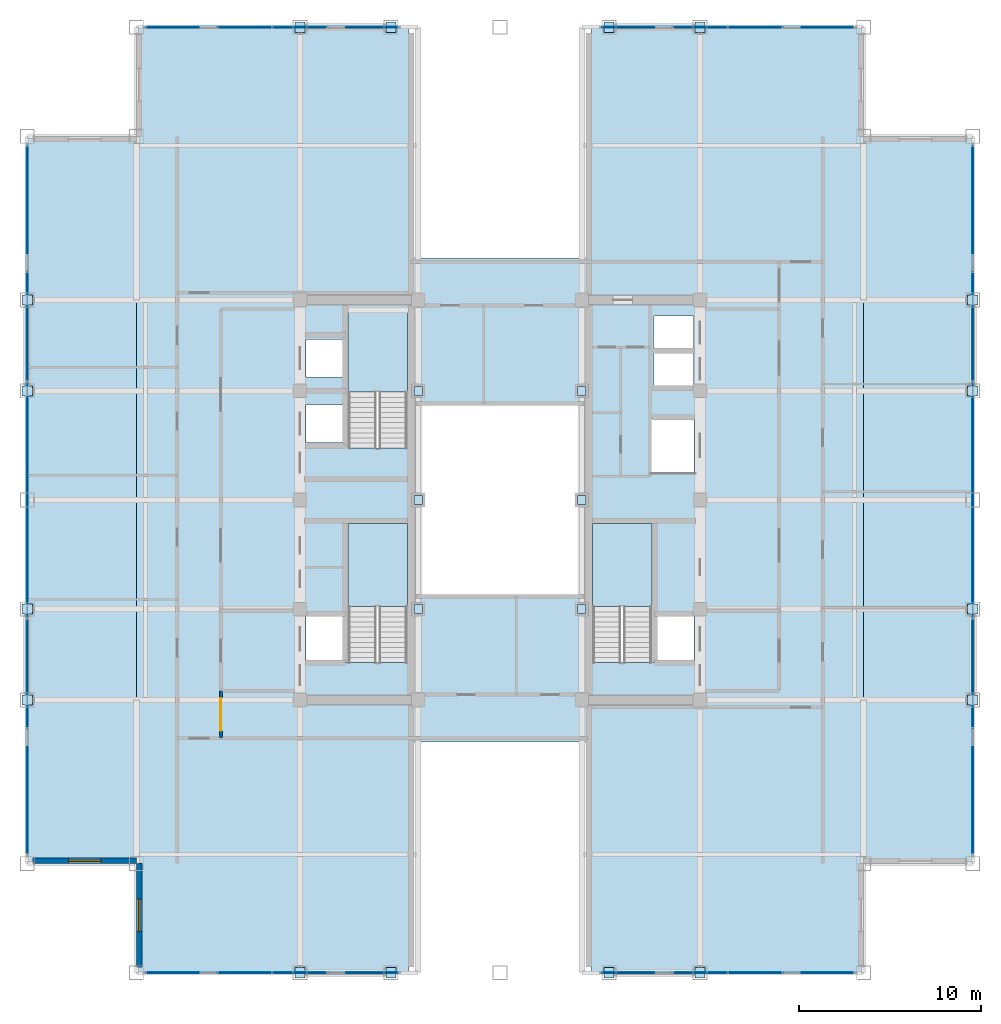
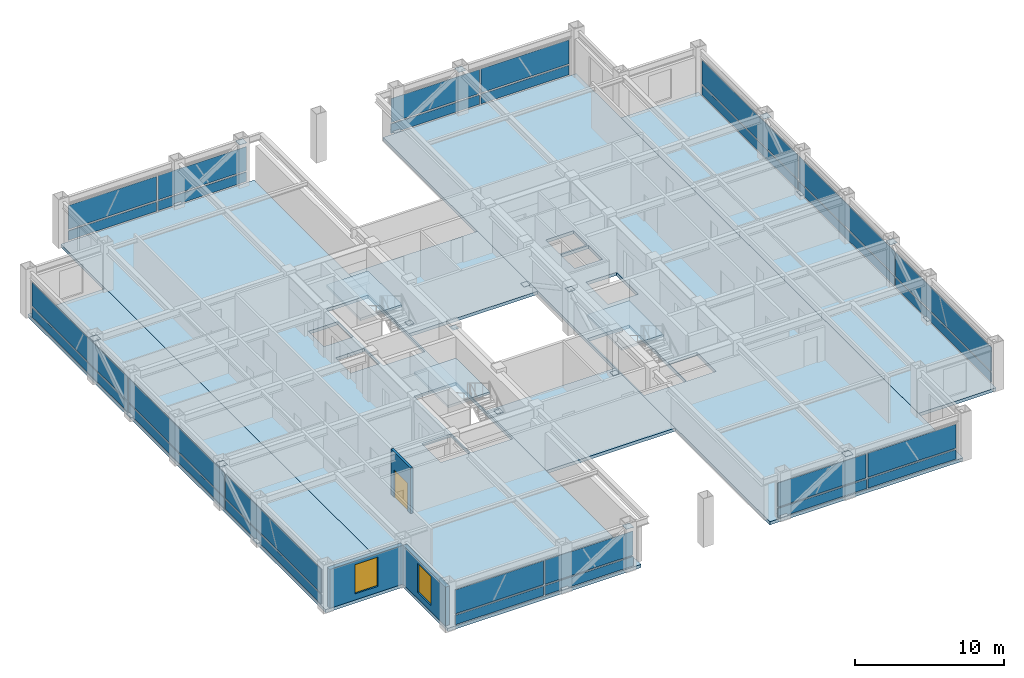
# One storey, part 24 of 29: 50 plates, 9 slabs, 3 walls, 2 windows, 1 door, 3 openings, 9 elements without a shape of their own.
"""IFC4 building model written with IfcOpenShell, lengths in metres."""

from ifc_helpers import new_model, si_unit, direction, frame, frame_2d, origin, origin_2d, place, context, subcontext, project, spatial, polyline, rectangle, outline, extrude, source, transform, mapped, material, layer, layer_set, type_object, element, fill, aggregate, save


model = new_model("IFC4")

# Units and contexts
model_context = context("Model", 3, precision=1e-05, world=origin(), true_north=direction((0.0, 1.0)))
body_context = subcontext(model_context, "Body", "Model", "MODEL_VIEW")
ifc_project = project(units=[si_unit("LENGTHUNIT", "METRE"), si_unit("AREAUNIT", "SQUARE_METRE"), si_unit("VOLUMEUNIT", "CUBIC_METRE"), si_unit("PLANEANGLEUNIT", "RADIAN"), si_unit("MASSUNIT", "GRAM", prefix="KILO")], contexts=[model_context])

# Site, building, storey
site_placement = place(None, origin())
site = spatial("IfcSite", under=ifc_project, at=site_placement, CompositionType="ELEMENT")
building_placement = place(site_placement, origin())
building = spatial("IfcBuilding", under=site, at=building_placement, Name="Khorayat Bourse Tower", CompositionType="ELEMENT")
storey_placement = place(building_placement, frame((0.0, 0.0, 350.300048828125)))
storey = spatial("IfcBuildingStorey", under=building, at=storey_placement, Name="L83", CompositionType="ELEMENT", Elevation=350.300048828125)

# Stair, slab
ifc_material_1 = material(Name="Concrete C40/50", Category="concrete")
stair_type = type_object("IfcStairType", Name="STR-CORE-1550", PredefinedType="HALF_TURN_STAIR", material=ifc_material_1)
stair_1_placement = place(storey_placement, origin())
stair_1 = element("IfcStair", 1, at=stair_1_placement, inside=storey, type_object=stair_type, Name="L83 Exit Stair ST-1", PredefinedType="HALF_TURN_STAIR")
ifc_layer_1 = layer(ifc_material_1, 0.199951171875)
ifc_layer_set_1 = layer_set([ifc_layer_1], Name="Concrete C40/50")
slab_type_1 = type_object("IfcSlabType", Name="SLB-LANDING-200", PredefinedType="LANDING", material=ifc_layer_set_1)
slab_1_placement = place(storey_placement, frame((0.0, 0.0, 1.800048828125)))
slab_1 = element("IfcSlab", 2, at=slab_1_placement, type_object=slab_type_1, Name="ST-1 landing 1", PredefinedType="LANDING", context=body_context, shape_type="SweptSolid", body=[
    extrude(outline(polyline([(-5.10009765625, -5.8701171875), (-5.10009765625, -1.300048828125), (-8.35009765625, -1.300048828125), (-8.35009765625, -5.8701171875), (-5.10009765625, -5.8701171875)])), origin(), (0.0, 0.0, 1.0), 0.199951171875),
])
aggregate(stair_1, [slab_1])

stair_2_placement = place(storey_placement, origin())
stair_2 = element("IfcStair", 3, at=stair_2_placement, inside=storey, type_object=stair_type, Name="L83 Exit Stair ST-2", PredefinedType="HALF_TURN_STAIR")
slab_2_placement = place(storey_placement, frame((0.0, 0.0, 1.800048828125)))
slab_2 = element("IfcSlab", 4, at=slab_2_placement, type_object=slab_type_1, Name="ST-2 landing 1", PredefinedType="LANDING", context=body_context, shape_type="SweptSolid", body=[
    extrude(outline(polyline([(-5.10009765625, 5.929931640625), (-5.10009765625, 10.5), (-8.35009765625, 10.5), (-8.35009765625, 5.929931640625), (-5.10009765625, 5.929931640625)])), origin(), (0.0, 0.0, 1.0), 0.199951171875),
])
aggregate(stair_2, [slab_2])

stair_3_placement = place(storey_placement, origin())
stair_3 = element("IfcStair", 5, at=stair_3_placement, inside=storey, type_object=stair_type, Name="L83 Exit Stair ST-3", PredefinedType="HALF_TURN_STAIR")
slab_3_placement = place(storey_placement, frame((0.0, 0.0, 1.800048828125)))
slab_3 = element("IfcSlab", 6, at=slab_3_placement, type_object=slab_type_1, Name="ST-3 landing 1", PredefinedType="LANDING", context=body_context, shape_type="SweptSolid", body=[
    extrude(outline(polyline([(8.35009765625, -5.8701171875), (8.35009765625, -1.300048828125), (5.10009765625, -1.300048828125), (5.10009765625, -5.8701171875), (8.35009765625, -5.8701171875)])), origin(), (0.0, 0.0, 1.0), 0.199951171875),
])
aggregate(stair_3, [slab_3])

# Slabs
ifc_layer_2 = layer(ifc_material_1, 0.260009765625)
ifc_layer_set_2 = layer_set([ifc_layer_2], Name="Concrete C40/50")
slab_type_2 = type_object("IfcSlabType", Name="SLB-TRADE-260", PredefinedType="FLOOR", material=ifc_layer_set_2)
slab_4_placement = place(storey_placement, frame((0.0, 0.0, -0.260009765625)))
element("IfcSlab", 7, at=slab_4_placement, inside=storey, type_object=slab_type_2, Name="L83 Portal Wing Floor Slab W-MAIN", PredefinedType="FLOOR", context=body_context, shape_type="SweptSolid", body=[
    extrude(outline(polyline([(-20.0, -26.0), (-5.0, -26.0), (-5.0, 26.0), (-20.0, 26.0), (-20.0, -26.0)]), holes=[polyline([(-8.35009765625, -8.945068359375), (-5.10009765625, -8.945068359375), (-5.10009765625, -1.300048828125), (-8.35009765625, -1.300048828125), (-8.35009765625, -8.945068359375)]), polyline([(-8.35009765625, 2.85498046875), (-5.10009765625, 2.85498046875), (-5.10009765625, 10.5), (-8.35009765625, 10.5), (-8.35009765625, 2.85498046875)]), polyline([(-10.679931640625, 3.169921875), (-8.419921875, 3.169921875), (-8.419921875, 5.22998046875), (-10.679931640625, 5.22998046875), (-10.679931640625, 3.169921875)]), polyline([(-10.679931640625, 6.77001953125), (-8.419921875, 6.77001953125), (-8.419921875, 8.830078125), (-10.679931640625, 8.830078125), (-10.679931640625, 6.77001953125)]), polyline([(-10.679931640625, -8.929931640625), (-8.419921875, -8.929931640625), (-8.419921875, -6.3701171875), (-10.679931640625, -6.3701171875), (-10.679931640625, -8.929931640625)])]), origin(), (0.0, 0.0, 1.0), 0.260009765625),
])
slab_5_placement = place(storey_placement, frame((0.0, 0.0, -0.260009765625)))
element("IfcSlab", 8, at=slab_5_placement, inside=storey, type_object=slab_type_2, Name="L83 Portal Wing Floor Slab W-FLG", PredefinedType="FLOOR", context=body_context, shape_type="SweptSolid", body=[
    extrude(outline(polyline([(-26.0, -20.0), (-20.0, -20.0), (-20.0, 20.0), (-26.0, 20.0), (-26.0, -20.0)])), origin(), (0.0, 0.0, 1.0), 0.260009765625),
])
slab_6_placement = place(storey_placement, frame((0.0, 0.0, -0.260009765625)))
element("IfcSlab", 9, at=slab_6_placement, inside=storey, type_object=slab_type_2, Name="L83 Portal Wing Floor Slab E-MAIN", PredefinedType="FLOOR", context=body_context, shape_type="SweptSolid", body=[
    extrude(outline(polyline([(5.0, -26.0), (20.0, -26.0), (20.0, 26.0), (5.0, 26.0), (5.0, -26.0)]), holes=[polyline([(5.10009765625, -8.945068359375), (8.35009765625, -8.945068359375), (8.35009765625, -1.300048828125), (5.10009765625, -1.300048828125), (5.10009765625, -8.945068359375)]), polyline([(8.469970703125, 6.27001953125), (10.6298828125, 6.27001953125), (10.6298828125, 8.1298828125), (8.469970703125, 8.1298828125), (8.469970703125, 6.27001953125)]), polyline([(8.469970703125, 8.27001953125), (10.6298828125, 8.27001953125), (10.6298828125, 10.1298828125), (8.469970703125, 10.1298828125), (8.469970703125, 8.27001953125)]), polyline([(8.419921875, -8.929931640625), (10.679931640625, -8.929931640625), (10.679931640625, -6.3701171875), (8.419921875, -6.3701171875), (8.419921875, -8.929931640625)]), polyline([(8.320068359375, 1.52001953125), (10.679931640625, 1.52001953125), (10.679931640625, 4.47998046875), (8.320068359375, 4.47998046875), (8.320068359375, 1.52001953125)])]), origin(), (0.0, 0.0, 1.0), 0.260009765625),
])
slab_7_placement = place(storey_placement, frame((0.0, 0.0, -0.260009765625)))
element("IfcSlab", 10, at=slab_7_placement, inside=storey, type_object=slab_type_2, Name="L83 Portal Wing Floor Slab E-FLG", PredefinedType="FLOOR", context=body_context, shape_type="SweptSolid", body=[
    extrude(outline(polyline([(20.0, -20.0), (26.0, -20.0), (26.0, 20.0), (20.0, 20.0), (20.0, -20.0)])), origin(), (0.0, 0.0, 1.0), 0.260009765625),
])
slab_8_placement = place(storey_placement, frame((0.0, 0.0, -0.260009765625)))
element("IfcSlab", 11, at=slab_8_placement, inside=storey, type_object=slab_type_2, Name="L83 Portal Wing Floor Slab BRG-S", PredefinedType="FLOOR", context=body_context, shape_type="SweptSolid", body=[
    extrude(outline(polyline([(-5.0, -13.300048828125), (5.0, -13.300048828125), (5.0, -5.199951171875), (-5.0, -5.199951171875), (-5.0, -13.300048828125)])), origin(), (0.0, 0.0, 1.0), 0.260009765625),
])
slab_9_placement = place(storey_placement, frame((0.0, 0.0, -0.260009765625)))
element("IfcSlab", 12, at=slab_9_placement, inside=storey, type_object=slab_type_2, Name="L83 Portal Wing Floor Slab BRG-N", PredefinedType="FLOOR", context=body_context, shape_type="SweptSolid", body=[
    extrude(outline(polyline([(-5.0, 5.199951171875), (5.0, 5.199951171875), (5.0, 13.300048828125), (-5.0, 13.300048828125), (-5.0, 5.199951171875)])), origin(), (0.0, 0.0, 1.0), 0.260009765625),
])

# Plates
ifc_material_2 = material(Name="Steel EN 10025-2 S355J2", Category="steel")
ifc_layer_3 = layer(ifc_material_2, 0.02490234375)
ifc_layer_set_3 = layer_set([ifc_layer_3], Name="Steel EN 10025-2 S355J2")
plate_type_1 = type_object("IfcPlateType", Name="PLT-ENDCAP-25", PredefinedType="SHEET", material=ifc_layer_set_3)
shared_shape_1 = source(origin(), body_context, "Body", "SweptSolid", [
    extrude(rectangle(XDim=0.56005859375, YDim=0.56005859375, at=origin_2d()), origin(), (0.0, 0.0, 1.0), 0.02490234375),
])
for number, where, z_axis, x_axis, name in (
    (13, (-11.0, -26.0, 0.237548828125), (0.0, 0.0, 1.0), (1.0, 0.0, 0.0), "L83 Perimeter Brace End Plate 001"),
    (14, (-6.0, -26.0, 3.4775390625), (0.0, 0.0, 1.0), (1.0, 0.0, 0.0), "L83 Perimeter Brace End Plate 002"),
    (15, (6.0, -26.0, 0.237548828125), (0.0, 0.0, 1.0), (1.0, 0.0, 0.0), "L83 Perimeter Brace End Plate 003"),
    (16, (11.0, -26.0, 3.4775390625), (0.0, 0.0, 1.0), (1.0, 0.0, 0.0), "L83 Perimeter Brace End Plate 004"),
    (17, (-11.0, 26.0, 0.237548828125), (0.0, 0.0, 1.0), (1.0, 0.0, 0.0), "L83 Perimeter Brace End Plate 005"),
    (18, (-6.0, 26.0, 3.4775390625), (0.0, 0.0, 1.0), (1.0, 0.0, 0.0), "L83 Perimeter Brace End Plate 006"),
    (19, (6.0, 26.0, 0.237548828125), (0.0, 0.0, 1.0), (1.0, 0.0, 0.0), "L83 Perimeter Brace End Plate 007"),
    (20, (11.0, 26.0, 3.4775390625), (0.0, 0.0, 1.0), (1.0, 0.0, 0.0), "L83 Perimeter Brace End Plate 008"),
    (21, (-26.0, -11.0, 0.237548828125), (0.0, 0.0, 1.0), (1.0, 0.0, 0.0), "L83 Perimeter Brace End Plate 009"),
    (22, (-26.0, -6.0, 3.4775390625), (0.0, 0.0, 1.0), (1.0, 0.0, 0.0), "L83 Perimeter Brace End Plate 010"),
    (23, (-26.0, 6.0, 0.237548828125), (0.0, 0.0, 1.0), (1.0, 0.0, 0.0), "L83 Perimeter Brace End Plate 011"),
    (24, (-26.0, 11.0, 3.4775390625), (0.0, 0.0, 1.0), (1.0, 0.0, 0.0), "L83 Perimeter Brace End Plate 012"),
    (25, (26.0, -11.0, 0.237548828125), (0.0, 0.0, 1.0), (1.0, 0.0, 0.0), "L83 Perimeter Brace End Plate 013"),
    (26, (26.0, -6.0, 3.4775390625), (0.0, 0.0, 1.0), (1.0, 0.0, 0.0), "L83 Perimeter Brace End Plate 014"),
    (27, (26.0, 6.0, 0.237548828125), (0.0, 0.0, 1.0), (1.0, 0.0, 0.0), "L83 Perimeter Brace End Plate 015"),
    (28, (26.0, 11.0, 3.4775390625), (0.0, 0.0, 1.0), (1.0, 0.0, 0.0), "L83 Perimeter Brace End Plate 016"),
):
    element("IfcPlate", number, at=place(storey_placement, frame(where, z_axis=z_axis, x_axis=x_axis)), inside=storey, type_object=plate_type_1, Name=name, PredefinedType="SHEET", context=body_context, shape_type="MappedRepresentation", body=[
        mapped(shared_shape_1, transform((0.0, 0.0, 0.0), scale=1.0)),
    ])
shared_shape_2 = source(origin(), body_context, "Body", "SweptSolid", [
    extrude(rectangle(XDim=0.47998046875, YDim=0.47998046875, at=origin_2d()), origin(), (0.0, 0.0, 1.0), 0.02490234375),
])
for number, where, z_axis, x_axis, name in (
    (29, (-4.5, -6.0, 0.237548828125), (0.0, 0.0, 1.0), (1.0, 0.0, 0.0), "L83 Wind Portal Strut End Plate 017"),
    (30, (-4.5, 0.0, 3.4775390625), (0.0, 0.0, 1.0), (1.0, 0.0, 0.0), "L83 Wind Portal Strut End Plate 018"),
    (31, (-4.5, 6.0, 0.237548828125), (0.0, 0.0, 1.0), (1.0, 0.0, 0.0), "L83 Wind Portal Strut End Plate 019"),
    (32, (4.5, -6.0, 0.237548828125), (0.0, 0.0, 1.0), (1.0, 0.0, 0.0), "L83 Wind Portal Strut End Plate 020"),
    (33, (4.5, 0.0, 3.4775390625), (0.0, 0.0, 1.0), (1.0, 0.0, 0.0), "L83 Wind Portal Strut End Plate 021"),
    (34, (4.5, 6.0, 0.237548828125), (0.0, 0.0, 1.0), (1.0, 0.0, 0.0), "L83 Wind Portal Strut End Plate 022"),
):
    element("IfcPlate", number, at=place(storey_placement, frame(where, z_axis=z_axis, x_axis=x_axis)), inside=storey, type_object=plate_type_1, Name=name, PredefinedType="SHEET", context=body_context, shape_type="MappedRepresentation", body=[
        mapped(shared_shape_2, transform((0.0, 0.0, 0.0), scale=1.0)),
    ])

# Curtain wall, plates
ifc_material_3 = material(Name="Aluminium EN AW-6063 T6", Category="aluminium")
curtain_wall_type = type_object("IfcCurtainWallType", Name="CW-SYS-06", PredefinedType="NOTDEFINED", material=ifc_material_3)
curtain_wall_1_placement = place(storey_placement, origin())
curtain_wall_1 = element("IfcCurtainWall", 35, at=curtain_wall_1_placement, inside=storey, type_object=curtain_wall_type, Name="L83 Curtain Wall CW-L83-S1", PredefinedType="NOTDEFINED")
ifc_material_4 = material(Name="Honed desert limestone insulated spandrel", Category="masonry")
ifc_layer_4 = layer(ifc_material_4, 0.06494140625)
ifc_layer_set_4 = layer_set([ifc_layer_4], Name="Honed desert limestone insulated spandrel")
plate_type_2 = type_object("IfcPlateType", Name="CWP-SPAND-03", PredefinedType="CURTAIN_PANEL", material=ifc_layer_set_4)
shared_shape_3 = source(origin(), body_context, "Body", "SweptSolid", [
    extrude(rectangle(XDim=6.844970703125, YDim=0.06494140625, at=origin_2d()), origin(), (0.0, 0.0, 1.0), 0.77001953125),
])
plate_1_placement = place(storey_placement, frame((-16.007568359375, -26.0, 0.119873046875), z_axis=(0.0, 0.0, 1.0), x_axis=(1.0, 0.0, 0.0)))
plate_1 = element("IfcPlate", 36, at=plate_1_placement, type_object=plate_type_2, Name="CW-L83-S1 Spandrel Panel 1-1", PredefinedType="CURTAIN_PANEL", context=body_context, shape_type="MappedRepresentation", body=[
    mapped(shared_shape_3, transform((0.0, 0.0, 0.0), scale=1.0)),
])
plate_2_placement = place(storey_placement, frame((-9.04248046875, -26.0, 0.119873046875), z_axis=(0.0, 0.0, 1.0), x_axis=(1.0, 0.0, 0.0)))
plate_2 = element("IfcPlate", 37, at=plate_2_placement, type_object=plate_type_2, Name="CW-L83-S1 Spandrel Panel 2-1", PredefinedType="CURTAIN_PANEL", context=body_context, shape_type="MappedRepresentation", body=[
    mapped(shared_shape_3, transform((0.0, 0.0, 0.0), scale=1.0)),
])

curtain_wall_2_placement = place(storey_placement, origin())
curtain_wall_2 = element("IfcCurtainWall", 38, at=curtain_wall_2_placement, inside=storey, type_object=curtain_wall_type, Name="L83 Curtain Wall CW-L83-S2", PredefinedType="NOTDEFINED")
plate_3_placement = place(storey_placement, frame((9.04248046875, -26.0, 0.119873046875), z_axis=(0.0, 0.0, 1.0), x_axis=(1.0, 0.0, 0.0)))
plate_3 = element("IfcPlate", 39, at=plate_3_placement, type_object=plate_type_2, Name="CW-L83-S2 Spandrel Panel 1-1", PredefinedType="CURTAIN_PANEL", context=body_context, shape_type="MappedRepresentation", body=[
    mapped(shared_shape_3, transform((0.0, 0.0, 0.0), scale=1.0)),
])
plate_4_placement = place(storey_placement, frame((16.007568359375, -26.0, 0.119873046875), z_axis=(0.0, 0.0, 1.0), x_axis=(1.0, 0.0, 0.0)))
plate_4 = element("IfcPlate", 40, at=plate_4_placement, type_object=plate_type_2, Name="CW-L83-S2 Spandrel Panel 2-1", PredefinedType="CURTAIN_PANEL", context=body_context, shape_type="MappedRepresentation", body=[
    mapped(shared_shape_3, transform((0.0, 0.0, 0.0), scale=1.0)),
])

curtain_wall_3_placement = place(storey_placement, origin())
curtain_wall_3 = element("IfcCurtainWall", 41, at=curtain_wall_3_placement, inside=storey, type_object=curtain_wall_type, Name="L83 Curtain Wall CW-L83-N1", PredefinedType="NOTDEFINED")
plate_5_placement = place(storey_placement, frame((-9.04248046875, 26.0, 0.119873046875), z_axis=(0.0, 0.0, 1.0), x_axis=(-1.0, 0.0, 0.0)))
plate_5 = element("IfcPlate", 42, at=plate_5_placement, type_object=plate_type_2, Name="CW-L83-N1 Spandrel Panel 1-1", PredefinedType="CURTAIN_PANEL", context=body_context, shape_type="MappedRepresentation", body=[
    mapped(shared_shape_3, transform((0.0, 0.0, 0.0), scale=1.0)),
])
plate_6_placement = place(storey_placement, frame((-16.007568359375, 26.0, 0.119873046875), z_axis=(0.0, 0.0, 1.0), x_axis=(-1.0, 0.0, 0.0)))
plate_6 = element("IfcPlate", 43, at=plate_6_placement, type_object=plate_type_2, Name="CW-L83-N1 Spandrel Panel 2-1", PredefinedType="CURTAIN_PANEL", context=body_context, shape_type="MappedRepresentation", body=[
    mapped(shared_shape_3, transform((0.0, 0.0, 0.0), scale=1.0)),
])

curtain_wall_4_placement = place(storey_placement, origin())
curtain_wall_4 = element("IfcCurtainWall", 44, at=curtain_wall_4_placement, inside=storey, type_object=curtain_wall_type, Name="L83 Curtain Wall CW-L83-N2", PredefinedType="NOTDEFINED")
plate_7_placement = place(storey_placement, frame((16.007568359375, 26.0, 0.119873046875), z_axis=(0.0, 0.0, 1.0), x_axis=(-1.0, 0.0, 0.0)))
plate_7 = element("IfcPlate", 45, at=plate_7_placement, type_object=plate_type_2, Name="CW-L83-N2 Spandrel Panel 1-1", PredefinedType="CURTAIN_PANEL", context=body_context, shape_type="MappedRepresentation", body=[
    mapped(shared_shape_3, transform((0.0, 0.0, 0.0), scale=1.0)),
])
plate_8_placement = place(storey_placement, frame((9.04248046875, 26.0, 0.119873046875), z_axis=(0.0, 0.0, 1.0), x_axis=(-1.0, 0.0, 0.0)))
plate_8 = element("IfcPlate", 46, at=plate_8_placement, type_object=plate_type_2, Name="CW-L83-N2 Spandrel Panel 2-1", PredefinedType="CURTAIN_PANEL", context=body_context, shape_type="MappedRepresentation", body=[
    mapped(shared_shape_3, transform((0.0, 0.0, 0.0), scale=1.0)),
])

# Plate
ifc_material_5 = material(Name="Low-E solar-control laminated double glazing", Category="glass")
ifc_layer_5 = layer(ifc_material_5, 0.0419921875)
ifc_layer_set_5 = layer_set([ifc_layer_5], Name="Low-E solar-control laminated double glazing")
plate_type_3 = type_object("IfcPlateType", Name="CWP-FACET-02", PredefinedType="CURTAIN_PANEL", material=ifc_layer_set_5)
shared_shape_4 = source(origin(), body_context, "Body", "SweptSolid", [
    extrude(rectangle(XDim=6.844970703125, YDim=0.0419921875, at=origin_2d()), origin(), (0.0, 0.0, 1.0), 1.9599609375),
])
plate_9_placement = place(storey_placement, frame((-16.007568359375, -26.0, 1.010009765625), z_axis=(0.0, 0.0, 1.0), x_axis=(1.0, 0.0, 0.0)))
plate_9 = element("IfcPlate", 47, at=plate_9_placement, type_object=plate_type_3, Name="CW-L83-S1 Vision Panel 1-2", PredefinedType="CURTAIN_PANEL", context=body_context, shape_type="MappedRepresentation", body=[
    mapped(shared_shape_4, transform((0.0, 0.0, 0.0), scale=1.0)),
])

plate_10_placement = place(storey_placement, frame((-9.04248046875, -26.0, 1.010009765625), z_axis=(0.0, 0.0, 1.0), x_axis=(1.0, 0.0, 0.0)))
plate_10 = element("IfcPlate", 48, at=plate_10_placement, type_object=plate_type_3, Name="CW-L83-S1 Vision Panel 2-2", PredefinedType="CURTAIN_PANEL", context=body_context, shape_type="MappedRepresentation", body=[
    mapped(shared_shape_4, transform((0.0, 0.0, 0.0), scale=1.0)),
])

aggregate(curtain_wall_1, [plate_1, plate_9, plate_2, plate_10])

plate_11_placement = place(storey_placement, frame((9.04248046875, -26.0, 1.010009765625), z_axis=(0.0, 0.0, 1.0), x_axis=(1.0, 0.0, 0.0)))
plate_11 = element("IfcPlate", 49, at=plate_11_placement, type_object=plate_type_3, Name="CW-L83-S2 Vision Panel 1-2", PredefinedType="CURTAIN_PANEL", context=body_context, shape_type="MappedRepresentation", body=[
    mapped(shared_shape_4, transform((0.0, 0.0, 0.0), scale=1.0)),
])

plate_12_placement = place(storey_placement, frame((16.007568359375, -26.0, 1.010009765625), z_axis=(0.0, 0.0, 1.0), x_axis=(1.0, 0.0, 0.0)))
plate_12 = element("IfcPlate", 50, at=plate_12_placement, type_object=plate_type_3, Name="CW-L83-S2 Vision Panel 2-2", PredefinedType="CURTAIN_PANEL", context=body_context, shape_type="MappedRepresentation", body=[
    mapped(shared_shape_4, transform((0.0, 0.0, 0.0), scale=1.0)),
])

aggregate(curtain_wall_2, [plate_3, plate_11, plate_4, plate_12])

plate_13_placement = place(storey_placement, frame((-9.04248046875, 26.0, 1.010009765625), z_axis=(0.0, 0.0, 1.0), x_axis=(-1.0, 0.0, 0.0)))
plate_13 = element("IfcPlate", 51, at=plate_13_placement, type_object=plate_type_3, Name="CW-L83-N1 Vision Panel 1-2", PredefinedType="CURTAIN_PANEL", context=body_context, shape_type="MappedRepresentation", body=[
    mapped(shared_shape_4, transform((0.0, 0.0, 0.0), scale=1.0)),
])

plate_14_placement = place(storey_placement, frame((-16.007568359375, 26.0, 1.010009765625), z_axis=(0.0, 0.0, 1.0), x_axis=(-1.0, 0.0, 0.0)))
plate_14 = element("IfcPlate", 52, at=plate_14_placement, type_object=plate_type_3, Name="CW-L83-N1 Vision Panel 2-2", PredefinedType="CURTAIN_PANEL", context=body_context, shape_type="MappedRepresentation", body=[
    mapped(shared_shape_4, transform((0.0, 0.0, 0.0), scale=1.0)),
])

aggregate(curtain_wall_3, [plate_5, plate_13, plate_6, plate_14])

plate_15_placement = place(storey_placement, frame((16.007568359375, 26.0, 1.010009765625), z_axis=(0.0, 0.0, 1.0), x_axis=(-1.0, 0.0, 0.0)))
plate_15 = element("IfcPlate", 53, at=plate_15_placement, type_object=plate_type_3, Name="CW-L83-N2 Vision Panel 1-2", PredefinedType="CURTAIN_PANEL", context=body_context, shape_type="MappedRepresentation", body=[
    mapped(shared_shape_4, transform((0.0, 0.0, 0.0), scale=1.0)),
])

plate_16_placement = place(storey_placement, frame((9.04248046875, 26.0, 1.010009765625), z_axis=(0.0, 0.0, 1.0), x_axis=(-1.0, 0.0, 0.0)))
plate_16 = element("IfcPlate", 54, at=plate_16_placement, type_object=plate_type_3, Name="CW-L83-N2 Vision Panel 2-2", PredefinedType="CURTAIN_PANEL", context=body_context, shape_type="MappedRepresentation", body=[
    mapped(shared_shape_4, transform((0.0, 0.0, 0.0), scale=1.0)),
])

aggregate(curtain_wall_4, [plate_7, plate_15, plate_8, plate_16])

# Curtain wall, plates
curtain_wall_5_placement = place(storey_placement, origin())
curtain_wall_5 = element("IfcCurtainWall", 55, at=curtain_wall_5_placement, inside=storey, type_object=curtain_wall_type, Name="L83 Curtain Wall CW-L83-W1", PredefinedType="NOTDEFINED")
shared_shape_5 = source(origin(), body_context, "Body", "SweptSolid", [
    extrude(rectangle(XDim=12.853271484375, YDim=0.06494140625, at=origin_2d()), origin(), (0.0, 0.0, 1.0), 0.77001953125),
])
plate_17_placement = place(storey_placement, frame((-26.0, 13.00341796875, 0.119873046875), z_axis=(0.0, 0.0, 1.0), x_axis=(0.0, -1.0, 0.0)))
plate_17 = element("IfcPlate", 56, at=plate_17_placement, type_object=plate_type_2, Name="CW-L83-W1 Spandrel Panel 1-1", PredefinedType="CURTAIN_PANEL", context=body_context, shape_type="MappedRepresentation", body=[
    mapped(shared_shape_5, transform((0.0, 0.0, 0.0), scale=1.0)),
])
plate_18_placement = place(storey_placement, frame((-26.0, -13.00341796875, 0.119873046875), z_axis=(0.0, 0.0, 1.0), x_axis=(0.0, -1.0, 0.0)))
plate_18 = element("IfcPlate", 57, at=plate_18_placement, type_object=plate_type_2, Name="CW-L83-W1 Spandrel Panel 3-1", PredefinedType="CURTAIN_PANEL", context=body_context, shape_type="MappedRepresentation", body=[
    mapped(shared_shape_5, transform((0.0, 0.0, 0.0), scale=1.0)),
])

curtain_wall_6_placement = place(storey_placement, origin())
curtain_wall_6 = element("IfcCurtainWall", 58, at=curtain_wall_6_placement, inside=storey, type_object=curtain_wall_type, Name="L83 Curtain Wall CW-L83-E1", PredefinedType="NOTDEFINED")
plate_19_placement = place(storey_placement, frame((26.0, -13.00341796875, 0.119873046875), z_axis=(0.0, 0.0, 1.0), x_axis=(0.0, 1.0, 0.0)))
plate_19 = element("IfcPlate", 59, at=plate_19_placement, type_object=plate_type_2, Name="CW-L83-E1 Spandrel Panel 1-1", PredefinedType="CURTAIN_PANEL", context=body_context, shape_type="MappedRepresentation", body=[
    mapped(shared_shape_5, transform((0.0, 0.0, 0.0), scale=1.0)),
])
plate_20_placement = place(storey_placement, frame((26.0, 13.00341796875, 0.119873046875), z_axis=(0.0, 0.0, 1.0), x_axis=(0.0, 1.0, 0.0)))
plate_20 = element("IfcPlate", 60, at=plate_20_placement, type_object=plate_type_2, Name="CW-L83-E1 Spandrel Panel 3-1", PredefinedType="CURTAIN_PANEL", context=body_context, shape_type="MappedRepresentation", body=[
    mapped(shared_shape_5, transform((0.0, 0.0, 0.0), scale=1.0)),
])

# Plate
shared_shape_6 = source(origin(), body_context, "Body", "SweptSolid", [
    extrude(rectangle(XDim=12.853271484375, YDim=0.0419921875, at=origin_2d()), origin(), (0.0, 0.0, 1.0), 1.9599609375),
])
plate_21_placement = place(storey_placement, frame((-26.0, 13.00341796875, 1.010009765625), z_axis=(0.0, 0.0, 1.0), x_axis=(0.0, -1.0, 0.0)))
plate_21 = element("IfcPlate", 61, at=plate_21_placement, type_object=plate_type_3, Name="CW-L83-W1 Vision Panel 1-2", PredefinedType="CURTAIN_PANEL", context=body_context, shape_type="MappedRepresentation", body=[
    mapped(shared_shape_6, transform((0.0, 0.0, 0.0), scale=1.0)),
])

plate_22_placement = place(storey_placement, frame((-26.0, -13.00341796875, 1.010009765625), z_axis=(0.0, 0.0, 1.0), x_axis=(0.0, -1.0, 0.0)))
plate_22 = element("IfcPlate", 62, at=plate_22_placement, type_object=plate_type_3, Name="CW-L83-W1 Vision Panel 3-2", PredefinedType="CURTAIN_PANEL", context=body_context, shape_type="MappedRepresentation", body=[
    mapped(shared_shape_6, transform((0.0, 0.0, 0.0), scale=1.0)),
])

plate_23_placement = place(storey_placement, frame((26.0, -13.00341796875, 1.010009765625), z_axis=(0.0, 0.0, 1.0), x_axis=(0.0, 1.0, 0.0)))
plate_23 = element("IfcPlate", 63, at=plate_23_placement, type_object=plate_type_3, Name="CW-L83-E1 Vision Panel 1-2", PredefinedType="CURTAIN_PANEL", context=body_context, shape_type="MappedRepresentation", body=[
    mapped(shared_shape_6, transform((0.0, 0.0, 0.0), scale=1.0)),
])

plate_24_placement = place(storey_placement, frame((26.0, 13.00341796875, 1.010009765625), z_axis=(0.0, 0.0, 1.0), x_axis=(0.0, 1.0, 0.0)))
plate_24 = element("IfcPlate", 64, at=plate_24_placement, type_object=plate_type_3, Name="CW-L83-E1 Vision Panel 3-2", PredefinedType="CURTAIN_PANEL", context=body_context, shape_type="MappedRepresentation", body=[
    mapped(shared_shape_6, transform((0.0, 0.0, 0.0), scale=1.0)),
])

shared_shape_7 = source(origin(), body_context, "Body", "SweptSolid", [
    extrude(rectangle(XDim=12.913330078125, YDim=0.06494140625, at=origin_2d()), origin(), (0.0, 0.0, 1.0), 0.77001953125),
])
plate_25_placement = place(storey_placement, frame((-26.0, 0.0, 0.119873046875), z_axis=(0.0, 0.0, 1.0), x_axis=(0.0, -1.0, 0.0)))
plate_25 = element("IfcPlate", 65, at=plate_25_placement, type_object=plate_type_2, Name="CW-L83-W1 Spandrel Panel 2-1", PredefinedType="CURTAIN_PANEL", context=body_context, shape_type="MappedRepresentation", body=[
    mapped(shared_shape_7, transform((0.0, 0.0, 0.0), scale=1.0)),
])

plate_26_placement = place(storey_placement, frame((26.0, 0.0, 0.119873046875), z_axis=(0.0, 0.0, 1.0), x_axis=(0.0, 1.0, 0.0)))
plate_26 = element("IfcPlate", 66, at=plate_26_placement, type_object=plate_type_2, Name="CW-L83-E1 Spandrel Panel 2-1", PredefinedType="CURTAIN_PANEL", context=body_context, shape_type="MappedRepresentation", body=[
    mapped(shared_shape_7, transform((0.0, 0.0, 0.0), scale=1.0)),
])

shared_shape_8 = source(origin(), body_context, "Body", "SweptSolid", [
    extrude(rectangle(XDim=12.913330078125, YDim=0.0419921875, at=origin_2d()), origin(), (0.0, 0.0, 1.0), 1.9599609375),
])
plate_27_placement = place(storey_placement, frame((-26.0, 0.0, 1.010009765625), z_axis=(0.0, 0.0, 1.0), x_axis=(0.0, -1.0, 0.0)))
plate_27 = element("IfcPlate", 67, at=plate_27_placement, type_object=plate_type_3, Name="CW-L83-W1 Vision Panel 2-2", PredefinedType="CURTAIN_PANEL", context=body_context, shape_type="MappedRepresentation", body=[
    mapped(shared_shape_8, transform((0.0, 0.0, 0.0), scale=1.0)),
])

aggregate(curtain_wall_5, [plate_17, plate_21, plate_25, plate_27, plate_18, plate_22])

plate_28_placement = place(storey_placement, frame((26.0, 0.0, 1.010009765625), z_axis=(0.0, 0.0, 1.0), x_axis=(0.0, 1.0, 0.0)))
plate_28 = element("IfcPlate", 68, at=plate_28_placement, type_object=plate_type_3, Name="CW-L83-E1 Vision Panel 2-2", PredefinedType="CURTAIN_PANEL", context=body_context, shape_type="MappedRepresentation", body=[
    mapped(shared_shape_8, transform((0.0, 0.0, 0.0), scale=1.0)),
])

aggregate(curtain_wall_6, [plate_19, plate_23, plate_26, plate_28, plate_20, plate_24])

# Wall, opening, window
ifc_material_6 = material(Name="Precast concrete C45/55", Category="concrete")
ifc_layer_6 = layer(ifc_material_6, 0.320068359375)
ifc_layer_set_6 = layer_set([ifc_layer_6], Name="Precast concrete C45/55")
wall_type_1 = type_object("IfcWallType", Name="WAL-EXT-STONE-320", PredefinedType="STANDARD", material=ifc_layer_set_6)
shared_shape_9 = source(origin(), body_context, "Body", "SweptSolid", [
    extrude(rectangle(XDim=5.679931640625, YDim=0.320068359375, at=frame_2d((2.83984375, 0.0))), origin(), (0.0, 0.0, 1.0), 3.19091796875),
])
wall_1_placement = place(storey_placement, frame((-20.0, -19.840087890625, 0.0), z_axis=(0.0, 0.0, 1.0), x_axis=(-1.0, 0.0, 0.0)))
wall_1 = element("IfcWall", 69, at=wall_1_placement, inside=storey, type_object=wall_type_1, Name="L83 Re-Entrant Notch Limestone Wall SW-H", PredefinedType="STANDARD", context=body_context, shape_type="MappedRepresentation", body=[
    mapped(shared_shape_9, transform((0.0, 0.0, 0.0), scale=1.0)),
])
shared_shape_10 = source(origin(), body_context, "Body", "SweptSolid", [
    extrude(rectangle(XDim=1.800048828125, YDim=2.39990234375, at=frame_2d((0.89990234375, 1.199951171875))), frame((0.0, 0.169921875, 0.0), z_axis=(0.0, -1.0, 0.0), x_axis=(1.0, 0.0, 0.0)), (0.0, 0.0, 1.0), 0.340087890625),
])
opening_1_placement = place(wall_1_placement, frame((1.93994140625, 0.0, 0.5)))
opening_1 = element("IfcOpeningElement", 70, at=opening_1_placement, cuts=wall_1, Name="Opening WN-04", PredefinedType="OPENING", context=body_context, shape_type="MappedRepresentation", body=[
    mapped(shared_shape_10, transform((0.0, 0.0, 0.0), scale=1.0)),
])
ifc_material_7 = material(Name="Low-E acoustic laminated double glazing", Category="glass")
window_type = type_object("IfcWindowType", Name="WIN-NOTCH-1800x2400", PartitioningType="SINGLE_PANEL", PredefinedType="WINDOW", material=ifc_material_7)
shared_shape_11 = source(origin(), body_context, "Body", "SweptSolid", [
    extrude(rectangle(XDim=1.800048828125, YDim=2.39990234375, at=frame_2d((0.89990234375, 1.199951171875))), frame((0.0, 0.030029296875, 0.0), z_axis=(0.0, -1.0, 0.0), x_axis=(1.0, 0.0, 0.0)), (0.0, 0.0, 1.0), 0.06005859375),
])
window_1_placement = place(opening_1_placement, origin())
window_1 = element("IfcWindow", 71, at=window_1_placement, inside=storey, type_object=window_type, Name="L83 Facade Window 1", OverallHeight=2.39990234375, OverallWidth=1.800048828125, PartitioningType="SINGLE_PANEL", PredefinedType="WINDOW", context=body_context, shape_type="MappedRepresentation", body=[
    mapped(shared_shape_11, transform((0.0, 0.0, 0.0), scale=1.0)),
])
fill(opening_1, window_1)

wall_2_placement = place(storey_placement, frame((-19.840087890625, -25.679931640625, 0.0), z_axis=(0.0, 0.0, 1.0), x_axis=(0.0, 1.0, 0.0)))
wall_2 = element("IfcWall", 72, at=wall_2_placement, inside=storey, type_object=wall_type_1, Name="L83 Re-Entrant Notch Limestone Wall SW-V", PredefinedType="STANDARD", context=body_context, shape_type="MappedRepresentation", body=[
    mapped(shared_shape_9, transform((0.0, 0.0, 0.0), scale=1.0)),
])
opening_2_placement = place(wall_2_placement, frame((1.93994140625, 0.0, 0.5)))
opening_2 = element("IfcOpeningElement", 73, at=opening_2_placement, cuts=wall_2, Name="Opening WN-04", PredefinedType="OPENING", context=body_context, shape_type="MappedRepresentation", body=[
    mapped(shared_shape_10, transform((0.0, 0.0, 0.0), scale=1.0)),
])
window_2_placement = place(opening_2_placement, origin())
window_2 = element("IfcWindow", 74, at=window_2_placement, inside=storey, type_object=window_type, Name="L83 Facade Window 1", OverallHeight=2.39990234375, OverallWidth=1.800048828125, PartitioningType="SINGLE_PANEL", PredefinedType="WINDOW", context=body_context, shape_type="MappedRepresentation", body=[
    mapped(shared_shape_11, transform((0.0, 0.0, 0.0), scale=1.0)),
])
fill(opening_2, window_2)

# Wall, opening, door
ifc_material_8 = material(Name="Gypsum plasterboard acoustic stud wall")
ifc_layer_7 = layer(ifc_material_8, 0.179931640625)
ifc_layer_set_7 = layer_set([ifc_layer_7], Name="Gypsum plasterboard acoustic stud wall")
wall_type_2 = type_object("IfcWallType", Name="WAL-PART-CORR-180", PredefinedType="PARTITIONING", material=ifc_layer_set_7)
shared_shape_12 = source(origin(), body_context, "Body", "SweptSolid", [
    extrude(rectangle(XDim=2.60009765625, YDim=0.179931640625, at=frame_2d((1.300048828125, 0.0))), origin(), (0.0, 0.0, 1.0), 3.739990234375),
])
wall_3_placement = place(storey_placement, frame((-15.35009765625, -13.10009765625, 0.0), z_axis=(0.0, 0.0, 1.0), x_axis=(0.0, 1.0, 0.0)))
wall_3 = element("IfcWall", 75, at=wall_3_placement, inside=storey, type_object=wall_type_2, Name="L83 Partition WAL-L83-WCSTUB-W", PredefinedType="PARTITIONING", context=body_context, shape_type="MappedRepresentation", body=[
    mapped(shared_shape_12, transform((0.0, 0.0, 0.0), scale=1.0)),
])
shared_shape_13 = source(origin(), body_context, "Body", "SweptSolid", [
    extrude(rectangle(XDim=1.800048828125, YDim=2.25, at=frame_2d((0.89990234375, 1.125))), frame((0.0, 0.099853515625, 0.0), z_axis=(0.0, -1.0, 0.0), x_axis=(1.0, 0.0, 0.0)), (0.0, 0.0, 1.0), 0.199951171875),
])
opening_3_placement = place(wall_3_placement, frame((0.39990234375, 0.0, 0.0)))
opening_3 = element("IfcOpeningElement", 76, at=opening_3_placement, cuts=wall_3, Name="Opening DI-03", PredefinedType="OPENING", context=body_context, shape_type="MappedRepresentation", body=[
    mapped(shared_shape_13, transform((0.0, 0.0, 0.0), scale=1.0)),
])
ifc_material_9 = material(Name="Fire-rated hardwood vision-panel double leaf", Category="wood")
door_type = type_object("IfcDoorType", Name="DR-INT-CORR-1800", OperationType="NOTDEFINED", PredefinedType="DOOR", material=ifc_material_9)
shared_shape_14 = source(origin(), body_context, "Body", "SweptSolid", [
    extrude(rectangle(XDim=1.800048828125, YDim=2.25, at=frame_2d((0.89990234375, 1.125))), frame((0.0, 0.02490234375, 0.0), z_axis=(0.0, -1.0, 0.0), x_axis=(1.0, 0.0, 0.0)), (0.0, 0.0, 1.0), 0.050048828125),
])
door_placement = place(opening_3_placement, origin())
door = element("IfcDoor", 77, at=door_placement, inside=storey, type_object=door_type, Name="L83 West Portal Bridge Corridor Door", OperationType="DOUBLE_DOOR_SINGLE_SWING", OverallHeight=2.25, OverallWidth=1.800048828125, PredefinedType="DOOR", context=body_context, shape_type="MappedRepresentation", body=[
    mapped(shared_shape_14, transform((0.0, 0.0, 0.0), scale=1.0)),
])
fill(opening_3, door)

save(model, "model.ifc")
